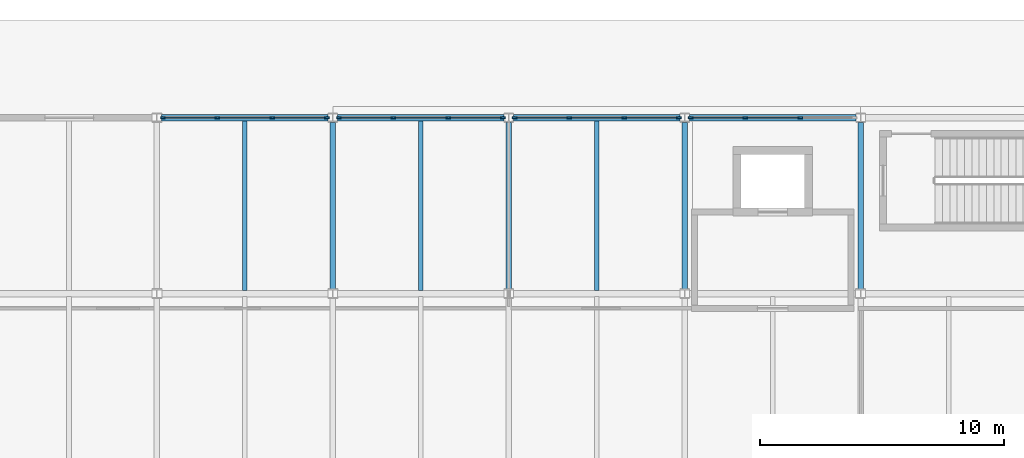
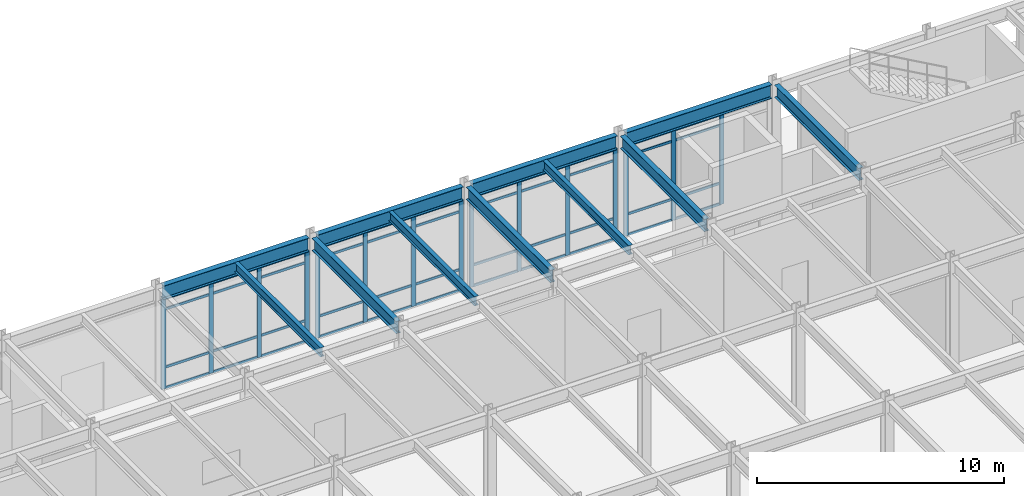
# One storey, part 38 of 104: 59 members, 11 beams, 4 elements without a shape of their own.
"""IFC4 building model written with IfcOpenShell, lengths in metres."""

from ifc_helpers import new_model, si_unit, direction, frame, origin, origin_2d, place, context, subcontext, project, spatial, rectangle, i_section, extrude, material, material_profile, profile_set, type_object, element, aggregate, save


model = new_model("IFC4")

# Units and contexts
model_context = context("Model", 3, precision=1e-05, world=origin(), true_north=direction((0.0, 1.0)))
body_context = subcontext(model_context, "Body", "Model", "MODEL_VIEW")
ifc_project = project(units=[si_unit("LENGTHUNIT", "METRE"), si_unit("AREAUNIT", "SQUARE_METRE"), si_unit("VOLUMEUNIT", "CUBIC_METRE"), si_unit("PLANEANGLEUNIT", "RADIAN"), si_unit("MASSUNIT", "GRAM", prefix="KILO")], contexts=[model_context])

# Site, building, storey
site_placement = place(None, origin())
site = spatial("IfcSite", under=ifc_project, at=site_placement, CompositionType="ELEMENT")
building_placement = place(site_placement, origin())
building = spatial("IfcBuilding", under=site, at=building_placement, Name="Vaelcorin Mobility Hub", CompositionType="ELEMENT")
storey_placement = place(building_placement, origin())
storey = spatial("IfcBuildingStorey", under=building, at=storey_placement, Name="L00", CompositionType="ELEMENT", Elevation=0.0)

# Beams
ifc_material_1 = material(Name="Steel ASTM A992 Grade 50", Category="steel")
ifc_material_profile_1 = material_profile(ifc_material_1, i_section(OverallWidth=0.19091796875, OverallDepth=0.4599609375, WebThickness=0.010009765625, FlangeThickness=0.01611328125, FilletRadius=0.012939453125, at=origin_2d()), Name="W18X55")
ifc_profile_set_1 = profile_set([ifc_material_profile_1], Name="Steel ASTM A992 Grade 50")
beam_type_1 = type_object("IfcBeamType", Name="BM-W18X55", PredefinedType="JOIST", material=ifc_profile_set_1)
for number, where, z_axis, x_axis, name in (
    (1, (75.60009765625, 112.925048828125, 4.929931640625), (0.0, 1.0, 0.0), (-1.0, 0.0, 0.0), "L00 Beam V4-L00-J-06-06-1"),
    (2, (82.800048828125, 112.925048828125, 4.929931640625), (0.0, 1.0, 0.0), (-1.0, 0.0, 0.0), "L00 Beam V4-L00-J-07-06-1"),
    (3, (90.0, 112.925048828125, 4.929931640625), (0.0, 1.0, 0.0), (-1.0, 0.0, 0.0), "L00 Beam V4-L00-J-08-06-1"),
):
    element("IfcBeam", number, at=place(storey_placement, frame(where, z_axis=z_axis, x_axis=x_axis)), inside=storey, type_object=beam_type_1, Name=name, PredefinedType="JOIST", context=body_context, shape_type="SweptSolid", body=[
        extrude(i_section(OverallWidth=0.19091796875, OverallDepth=0.4599609375, WebThickness=0.010009765625, FlangeThickness=0.01611328125, FilletRadius=0.012939453125, at=origin_2d()), origin(), (0.0, 0.0, 1.0), 6.949951171875),
    ])
ifc_material_profile_2 = material_profile(ifc_material_1, i_section(OverallWidth=0.22900390625, OverallDepth=0.612060546875, WebThickness=0.011962890625, FlangeThickness=0.01953125, FilletRadius=0.014892578125, at=origin_2d()), Name="W24X84")
ifc_profile_set_2 = profile_set([ifc_material_profile_2], Name="Steel ASTM A992 Grade 50")
beam_type_2 = type_object("IfcBeamType", Name="BM-W24X84", PredefinedType="BEAM", material=ifc_profile_set_2)
for number, where, z_axis, x_axis, name in (
    (4, (79.199951171875, 113.0009765625, 4.85400390625), (0.0, 1.0, 0.0), (-1.0, 0.0, 0.0), "L00 Beam V4-L00-GY-07-06"),
    (5, (86.39990234375, 113.0009765625, 4.85400390625), (0.0, 1.0, 0.0), (-1.0, 0.0, 0.0), "L00 Beam V4-L00-GY-08-06"),
    (6, (93.60009765625, 113.0009765625, 4.85400390625), (0.0, 1.0, 0.0), (-1.0, 0.0, 0.0), "L00 Beam V4-L00-GY-09-06"),
    (7, (100.800048828125, 113.0009765625, 4.85400390625), (0.0, 1.0, 0.0), (-1.0, 0.0, 0.0), "L00 Beam V4-L00-GY-10-06"),
):
    element("IfcBeam", number, at=place(storey_placement, frame(where, z_axis=z_axis, x_axis=x_axis)), inside=storey, type_object=beam_type_2, Name=name, PredefinedType="BEAM", context=body_context, shape_type="SweptSolid", body=[
        extrude(i_section(OverallWidth=0.22900390625, OverallDepth=0.612060546875, WebThickness=0.011962890625, FlangeThickness=0.01953125, FilletRadius=0.014892578125, at=origin_2d()), origin(), (0.0, 0.0, 1.0), 6.803955078125),
    ])
ifc_material_profile_3 = material_profile(ifc_material_1, i_section(OverallWidth=0.25390625, OverallDepth=0.68310546875, WebThickness=0.012451171875, FlangeThickness=0.018798828125, FilletRadius=0.01611328125, at=origin_2d()), Name="W27X94")
ifc_profile_set_3 = profile_set([ifc_material_profile_3], Name="Steel ASTM A992 Grade 50")
beam_type_3 = type_object("IfcBeamType", Name="BM-W27X94", PredefinedType="BEAM", material=ifc_profile_set_3)
for number, where, z_axis, x_axis, name in (
    (8, (72.197998046875, 120.0, 4.818115234375), (1.0, 0.0, 0.0), (0.0, 1.0, 0.0), "L00 Beam V4-L00-GX-07-06"),
    (9, (79.39794921875, 120.0, 4.818115234375), (1.0, 0.0, 0.0), (0.0, 1.0, 0.0), "L00 Beam V4-L00-GX-07-07"),
):
    element("IfcBeam", number, at=place(storey_placement, frame(where, z_axis=z_axis, x_axis=x_axis)), inside=storey, type_object=beam_type_3, Name=name, PredefinedType="BEAM", context=body_context, shape_type="SweptSolid", body=[
        extrude(i_section(OverallWidth=0.25390625, OverallDepth=0.68310546875, WebThickness=0.012451171875, FlangeThickness=0.018798828125, FilletRadius=0.01611328125, at=origin_2d()), origin(), (0.0, 0.0, 1.0), 6.803955078125),
    ])
beam_1_placement = place(storey_placement, frame((86.597900390625, 120.0, 4.818115234375), z_axis=(1.0, 0.0, 0.0), x_axis=(0.0, 1.0, 0.0)))
element("IfcBeam", 10, at=beam_1_placement, inside=storey, type_object=beam_type_3, Name="L00 Beam V4-L00-GX-07-08", PredefinedType="BEAM", context=body_context, shape_type="SweptSolid", body=[
    extrude(i_section(OverallWidth=0.25390625, OverallDepth=0.68310546875, WebThickness=0.012451171875, FlangeThickness=0.018798828125, FilletRadius=0.01611328125, at=origin_2d()), origin(), (0.0, 0.0, 1.0), 6.80419921875),
])
beam_2_placement = place(storey_placement, frame((93.798095703125, 120.0, 4.818115234375), z_axis=(1.0, 0.0, 0.0), x_axis=(0.0, 1.0, 0.0)))
element("IfcBeam", 11, at=beam_2_placement, inside=storey, type_object=beam_type_3, Name="L00 Beam V4-L00-GX-07-09", PredefinedType="BEAM", context=body_context, shape_type="SweptSolid", body=[
    extrude(i_section(OverallWidth=0.25390625, OverallDepth=0.68310546875, WebThickness=0.012451171875, FlangeThickness=0.018798828125, FilletRadius=0.01611328125, at=origin_2d()), origin(), (0.0, 0.0, 1.0), 6.803955078125),
])

# Curtain wall, members
ifc_material_2 = material(Name="Anodised aluminium 6063-T6", Category="aluminium")
curtain_wall_type = type_object("IfcCurtainWallType", Name="CW-MSC-B", PredefinedType="NOTDEFINED", material=ifc_material_2)
curtain_wall_1_placement = place(storey_placement, origin())
curtain_wall_1 = element("IfcCurtainWall", 12, at=curtain_wall_1_placement, inside=storey, type_object=curtain_wall_type, Name="L00 Curtain Wall CW-V4-L00-N-06", PredefinedType="NOTDEFINED")
ifc_material_profile_4 = material_profile(ifc_material_2, rectangle(XDim=0.070068359375, YDim=0.199951171875, at=origin_2d()), Name="ALU-M70X200")
ifc_profile_set_4 = profile_set([ifc_material_profile_4], Name="Anodised aluminium 6063-T6")
member_type_1 = type_object("IfcMemberType", Name="CW-MULL-200", PredefinedType="MULLION", material=ifc_profile_set_4)
member_1_placement = place(storey_placement, frame((72.25, 120.0, 0.0), z_axis=(0.0, 0.0, 1.0), x_axis=(0.0, 1.0, 0.0)))
member_1 = element("IfcMember", 13, at=member_1_placement, type_object=member_type_1, Name="CW4 mullion 1", PredefinedType="MULLION", context=body_context, shape_type="SweptSolid", body=[
    extrude(rectangle(XDim=0.070068359375, YDim=0.199951171875, at=origin_2d()), origin(), (0.0, 0.0, 1.0), 4.4619140625),
])
member_2_placement = place(storey_placement, frame((74.473388671875, 120.0, 0.0), z_axis=(0.0, 0.0, 1.0), x_axis=(0.0, 1.0, 0.0)))
member_2 = element("IfcMember", 14, at=member_2_placement, type_object=member_type_1, Name="CW4 mullion 2", PredefinedType="MULLION", context=body_context, shape_type="SweptSolid", body=[
    extrude(rectangle(XDim=0.070068359375, YDim=0.199951171875, at=origin_2d()), origin(), (0.0, 0.0, 1.0), 4.4619140625),
])
member_3_placement = place(storey_placement, frame((76.7265625, 120.0, 0.0), z_axis=(0.0, 0.0, 1.0), x_axis=(0.0, 1.0, 0.0)))
member_3 = element("IfcMember", 15, at=member_3_placement, type_object=member_type_1, Name="CW4 mullion 3", PredefinedType="MULLION", context=body_context, shape_type="SweptSolid", body=[
    extrude(rectangle(XDim=0.070068359375, YDim=0.199951171875, at=origin_2d()), origin(), (0.0, 0.0, 1.0), 4.4619140625),
])
member_4_placement = place(storey_placement, frame((78.949951171875, 120.0, 0.0), z_axis=(0.0, 0.0, 1.0), x_axis=(0.0, 1.0, 0.0)))
member_4 = element("IfcMember", 16, at=member_4_placement, type_object=member_type_1, Name="CW4 mullion 4", PredefinedType="MULLION", context=body_context, shape_type="SweptSolid", body=[
    extrude(rectangle(XDim=0.070068359375, YDim=0.199951171875, at=origin_2d()), origin(), (0.0, 0.0, 1.0), 4.4619140625),
])

curtain_wall_2_placement = place(storey_placement, origin())
curtain_wall_2 = element("IfcCurtainWall", 17, at=curtain_wall_2_placement, inside=storey, type_object=curtain_wall_type, Name="L00 Curtain Wall CW-V4-L00-N-07", PredefinedType="NOTDEFINED")
member_5_placement = place(storey_placement, frame((79.449951171875, 120.0, 0.0), z_axis=(0.0, 0.0, 1.0), x_axis=(0.0, 1.0, 0.0)))
member_5 = element("IfcMember", 18, at=member_5_placement, type_object=member_type_1, Name="CW4 mullion 1", PredefinedType="MULLION", context=body_context, shape_type="SweptSolid", body=[
    extrude(rectangle(XDim=0.070068359375, YDim=0.199951171875, at=origin_2d()), origin(), (0.0, 0.0, 1.0), 4.4619140625),
])
member_6_placement = place(storey_placement, frame((81.67333984375, 120.0, 0.0), z_axis=(0.0, 0.0, 1.0), x_axis=(0.0, 1.0, 0.0)))
member_6 = element("IfcMember", 19, at=member_6_placement, type_object=member_type_1, Name="CW4 mullion 2", PredefinedType="MULLION", context=body_context, shape_type="SweptSolid", body=[
    extrude(rectangle(XDim=0.070068359375, YDim=0.199951171875, at=origin_2d()), origin(), (0.0, 0.0, 1.0), 4.4619140625),
])
member_7_placement = place(storey_placement, frame((83.9267578125, 120.0, 0.0), z_axis=(0.0, 0.0, 1.0), x_axis=(0.0, 1.0, 0.0)))
member_7 = element("IfcMember", 20, at=member_7_placement, type_object=member_type_1, Name="CW4 mullion 3", PredefinedType="MULLION", context=body_context, shape_type="SweptSolid", body=[
    extrude(rectangle(XDim=0.070068359375, YDim=0.199951171875, at=origin_2d()), origin(), (0.0, 0.0, 1.0), 4.4619140625),
])
member_8_placement = place(storey_placement, frame((86.14990234375, 120.0, 0.0), z_axis=(0.0, 0.0, 1.0), x_axis=(0.0, 1.0, 0.0)))
member_8 = element("IfcMember", 21, at=member_8_placement, type_object=member_type_1, Name="CW4 mullion 4", PredefinedType="MULLION", context=body_context, shape_type="SweptSolid", body=[
    extrude(rectangle(XDim=0.070068359375, YDim=0.199951171875, at=origin_2d()), origin(), (0.0, 0.0, 1.0), 4.4619140625),
])

curtain_wall_3_placement = place(storey_placement, origin())
curtain_wall_3 = element("IfcCurtainWall", 22, at=curtain_wall_3_placement, inside=storey, type_object=curtain_wall_type, Name="L00 Curtain Wall CW-V4-L00-N-08", PredefinedType="NOTDEFINED")
member_9_placement = place(storey_placement, frame((86.64990234375, 120.0, 0.0), z_axis=(0.0, 0.0, 1.0), x_axis=(0.0, 1.0, 0.0)))
member_9 = element("IfcMember", 23, at=member_9_placement, type_object=member_type_1, Name="CW4 mullion 1", PredefinedType="MULLION", context=body_context, shape_type="SweptSolid", body=[
    extrude(rectangle(XDim=0.070068359375, YDim=0.199951171875, at=origin_2d()), origin(), (0.0, 0.0, 1.0), 4.4619140625),
])
member_10_placement = place(storey_placement, frame((88.873291015625, 120.0, 0.0), z_axis=(0.0, 0.0, 1.0), x_axis=(0.0, 1.0, 0.0)))
member_10 = element("IfcMember", 24, at=member_10_placement, type_object=member_type_1, Name="CW4 mullion 2", PredefinedType="MULLION", context=body_context, shape_type="SweptSolid", body=[
    extrude(rectangle(XDim=0.070068359375, YDim=0.199951171875, at=origin_2d()), origin(), (0.0, 0.0, 1.0), 4.4619140625),
])
member_11_placement = place(storey_placement, frame((91.126708984375, 120.0, 0.0), z_axis=(0.0, 0.0, 1.0), x_axis=(0.0, 1.0, 0.0)))
member_11 = element("IfcMember", 25, at=member_11_placement, type_object=member_type_1, Name="CW4 mullion 3", PredefinedType="MULLION", context=body_context, shape_type="SweptSolid", body=[
    extrude(rectangle(XDim=0.070068359375, YDim=0.199951171875, at=origin_2d()), origin(), (0.0, 0.0, 1.0), 4.4619140625),
])
member_12_placement = place(storey_placement, frame((93.35009765625, 120.0, 0.0), z_axis=(0.0, 0.0, 1.0), x_axis=(0.0, 1.0, 0.0)))
member_12 = element("IfcMember", 26, at=member_12_placement, type_object=member_type_1, Name="CW4 mullion 4", PredefinedType="MULLION", context=body_context, shape_type="SweptSolid", body=[
    extrude(rectangle(XDim=0.070068359375, YDim=0.199951171875, at=origin_2d()), origin(), (0.0, 0.0, 1.0), 4.4619140625),
])

curtain_wall_4_placement = place(storey_placement, origin())
curtain_wall_4 = element("IfcCurtainWall", 27, at=curtain_wall_4_placement, inside=storey, type_object=curtain_wall_type, Name="L00 Curtain Wall CW-V4-L00-N-09", PredefinedType="NOTDEFINED")
member_13_placement = place(storey_placement, frame((93.85009765625, 120.0, 0.0), z_axis=(0.0, 0.0, 1.0), x_axis=(0.0, 1.0, 0.0)))
member_13 = element("IfcMember", 28, at=member_13_placement, type_object=member_type_1, Name="CW4 mullion 1", PredefinedType="MULLION", context=body_context, shape_type="SweptSolid", body=[
    extrude(rectangle(XDim=0.070068359375, YDim=0.199951171875, at=origin_2d()), origin(), (0.0, 0.0, 1.0), 4.4619140625),
])
member_14_placement = place(storey_placement, frame((96.0732421875, 120.0, 0.0), z_axis=(0.0, 0.0, 1.0), x_axis=(0.0, 1.0, 0.0)))
member_14 = element("IfcMember", 29, at=member_14_placement, type_object=member_type_1, Name="CW4 mullion 2", PredefinedType="MULLION", context=body_context, shape_type="SweptSolid", body=[
    extrude(rectangle(XDim=0.070068359375, YDim=0.199951171875, at=origin_2d()), origin(), (0.0, 0.0, 1.0), 4.4619140625),
])
member_15_placement = place(storey_placement, frame((98.32666015625, 120.0, 0.0), z_axis=(0.0, 0.0, 1.0), x_axis=(0.0, 1.0, 0.0)))
member_15 = element("IfcMember", 30, at=member_15_placement, type_object=member_type_1, Name="CW4 mullion 3", PredefinedType="MULLION", context=body_context, shape_type="SweptSolid", body=[
    extrude(rectangle(XDim=0.070068359375, YDim=0.199951171875, at=origin_2d()), origin(), (0.0, 0.0, 1.0), 4.4619140625),
])

# Member
ifc_material_profile_5 = material_profile(ifc_material_2, rectangle(XDim=0.06005859375, YDim=0.1201171875, at=origin_2d()), Name="ALU-T60X120")
ifc_profile_set_5 = profile_set([ifc_material_profile_5], Name="Anodised aluminium 6063-T6")
member_type_2 = type_object("IfcMemberType", Name="CW-TRAN-140", PredefinedType="USERDEFINED", material=ifc_profile_set_5)
member_16_placement = place(storey_placement, frame((72.280029296875, 120.0, 0.030029296875), z_axis=(1.0, 0.0, 0.0), x_axis=(0.0, 1.0, 0.0)))
member_16 = element("IfcMember", 31, at=member_16_placement, type_object=member_type_2, Name="CW4 transom 1.1", ObjectType="TRANSOM", PredefinedType="USERDEFINED", context=body_context, shape_type="SweptSolid", body=[
    extrude(rectangle(XDim=0.06005859375, YDim=0.1201171875, at=origin_2d()), origin(), (0.0, 0.0, 1.0), 2.163330078125),
])

member_17_placement = place(storey_placement, frame((72.280029296875, 120.0, 1.050048828125), z_axis=(1.0, 0.0, 0.0), x_axis=(0.0, 1.0, 0.0)))
member_17 = element("IfcMember", 32, at=member_17_placement, type_object=member_type_2, Name="CW4 transom 1.2", ObjectType="TRANSOM", PredefinedType="USERDEFINED", context=body_context, shape_type="SweptSolid", body=[
    extrude(rectangle(XDim=0.06005859375, YDim=0.1201171875, at=origin_2d()), origin(), (0.0, 0.0, 1.0), 2.163330078125),
])

member_18_placement = place(storey_placement, frame((72.280029296875, 120.0, 3.912109375), z_axis=(1.0, 0.0, 0.0), x_axis=(0.0, 1.0, 0.0)))
member_18 = element("IfcMember", 33, at=member_18_placement, type_object=member_type_2, Name="CW4 transom 1.3", ObjectType="TRANSOM", PredefinedType="USERDEFINED", context=body_context, shape_type="SweptSolid", body=[
    extrude(rectangle(XDim=0.06005859375, YDim=0.1201171875, at=origin_2d()), origin(), (0.0, 0.0, 1.0), 2.163330078125),
])

member_19_placement = place(storey_placement, frame((72.280029296875, 120.0, 4.431884765625), z_axis=(1.0, 0.0, 0.0), x_axis=(0.0, 1.0, 0.0)))
member_19 = element("IfcMember", 34, at=member_19_placement, type_object=member_type_2, Name="CW4 transom 1.4", ObjectType="TRANSOM", PredefinedType="USERDEFINED", context=body_context, shape_type="SweptSolid", body=[
    extrude(rectangle(XDim=0.06005859375, YDim=0.1201171875, at=origin_2d()), origin(), (0.0, 0.0, 1.0), 2.163330078125),
])

member_20_placement = place(storey_placement, frame((74.50341796875, 120.0, 0.030029296875), z_axis=(1.0, 0.0, 0.0), x_axis=(0.0, 1.0, 0.0)))
member_20 = element("IfcMember", 35, at=member_20_placement, type_object=member_type_2, Name="CW4 transom 2.1", ObjectType="TRANSOM", PredefinedType="USERDEFINED", context=body_context, shape_type="SweptSolid", body=[
    extrude(rectangle(XDim=0.06005859375, YDim=0.1201171875, at=origin_2d()), origin(), (0.0, 0.0, 1.0), 2.193359375),
])

member_21_placement = place(storey_placement, frame((74.50341796875, 120.0, 1.050048828125), z_axis=(1.0, 0.0, 0.0), x_axis=(0.0, 1.0, 0.0)))
member_21 = element("IfcMember", 36, at=member_21_placement, type_object=member_type_2, Name="CW4 transom 2.2", ObjectType="TRANSOM", PredefinedType="USERDEFINED", context=body_context, shape_type="SweptSolid", body=[
    extrude(rectangle(XDim=0.06005859375, YDim=0.1201171875, at=origin_2d()), origin(), (0.0, 0.0, 1.0), 2.193359375),
])

member_22_placement = place(storey_placement, frame((74.50341796875, 120.0, 3.912109375), z_axis=(1.0, 0.0, 0.0), x_axis=(0.0, 1.0, 0.0)))
member_22 = element("IfcMember", 37, at=member_22_placement, type_object=member_type_2, Name="CW4 transom 2.3", ObjectType="TRANSOM", PredefinedType="USERDEFINED", context=body_context, shape_type="SweptSolid", body=[
    extrude(rectangle(XDim=0.06005859375, YDim=0.1201171875, at=origin_2d()), origin(), (0.0, 0.0, 1.0), 2.193359375),
])

member_23_placement = place(storey_placement, frame((74.50341796875, 120.0, 4.431884765625), z_axis=(1.0, 0.0, 0.0), x_axis=(0.0, 1.0, 0.0)))
member_23 = element("IfcMember", 38, at=member_23_placement, type_object=member_type_2, Name="CW4 transom 2.4", ObjectType="TRANSOM", PredefinedType="USERDEFINED", context=body_context, shape_type="SweptSolid", body=[
    extrude(rectangle(XDim=0.06005859375, YDim=0.1201171875, at=origin_2d()), origin(), (0.0, 0.0, 1.0), 2.193359375),
])

member_24_placement = place(storey_placement, frame((76.756591796875, 120.0, 0.030029296875), z_axis=(1.0, 0.0, 0.0), x_axis=(0.0, 1.0, 0.0)))
member_24 = element("IfcMember", 39, at=member_24_placement, type_object=member_type_2, Name="CW4 transom 3.1", ObjectType="TRANSOM", PredefinedType="USERDEFINED", context=body_context, shape_type="SweptSolid", body=[
    extrude(rectangle(XDim=0.06005859375, YDim=0.1201171875, at=origin_2d()), origin(), (0.0, 0.0, 1.0), 2.163330078125),
])

member_25_placement = place(storey_placement, frame((76.756591796875, 120.0, 1.050048828125), z_axis=(1.0, 0.0, 0.0), x_axis=(0.0, 1.0, 0.0)))
member_25 = element("IfcMember", 40, at=member_25_placement, type_object=member_type_2, Name="CW4 transom 3.2", ObjectType="TRANSOM", PredefinedType="USERDEFINED", context=body_context, shape_type="SweptSolid", body=[
    extrude(rectangle(XDim=0.06005859375, YDim=0.1201171875, at=origin_2d()), origin(), (0.0, 0.0, 1.0), 2.163330078125),
])

member_26_placement = place(storey_placement, frame((76.756591796875, 120.0, 3.912109375), z_axis=(1.0, 0.0, 0.0), x_axis=(0.0, 1.0, 0.0)))
member_26 = element("IfcMember", 41, at=member_26_placement, type_object=member_type_2, Name="CW4 transom 3.3", ObjectType="TRANSOM", PredefinedType="USERDEFINED", context=body_context, shape_type="SweptSolid", body=[
    extrude(rectangle(XDim=0.06005859375, YDim=0.1201171875, at=origin_2d()), origin(), (0.0, 0.0, 1.0), 2.163330078125),
])

member_27_placement = place(storey_placement, frame((76.756591796875, 120.0, 4.431884765625), z_axis=(1.0, 0.0, 0.0), x_axis=(0.0, 1.0, 0.0)))
member_27 = element("IfcMember", 42, at=member_27_placement, type_object=member_type_2, Name="CW4 transom 3.4", ObjectType="TRANSOM", PredefinedType="USERDEFINED", context=body_context, shape_type="SweptSolid", body=[
    extrude(rectangle(XDim=0.06005859375, YDim=0.1201171875, at=origin_2d()), origin(), (0.0, 0.0, 1.0), 2.163330078125),
])

aggregate(curtain_wall_1, [member_1, member_2, member_3, member_4, member_16, member_17, member_18, member_19, member_20, member_21, member_22, member_23, member_24, member_25, member_26, member_27])

member_28_placement = place(storey_placement, frame((79.47998046875, 120.0, 0.030029296875), z_axis=(1.0, 0.0, 0.0), x_axis=(0.0, 1.0, 0.0)))
member_28 = element("IfcMember", 43, at=member_28_placement, type_object=member_type_2, Name="CW4 transom 1.1", ObjectType="TRANSOM", PredefinedType="USERDEFINED", context=body_context, shape_type="SweptSolid", body=[
    extrude(rectangle(XDim=0.06005859375, YDim=0.1201171875, at=origin_2d()), origin(), (0.0, 0.0, 1.0), 2.163330078125),
])

member_29_placement = place(storey_placement, frame((79.47998046875, 120.0, 1.050048828125), z_axis=(1.0, 0.0, 0.0), x_axis=(0.0, 1.0, 0.0)))
member_29 = element("IfcMember", 44, at=member_29_placement, type_object=member_type_2, Name="CW4 transom 1.2", ObjectType="TRANSOM", PredefinedType="USERDEFINED", context=body_context, shape_type="SweptSolid", body=[
    extrude(rectangle(XDim=0.06005859375, YDim=0.1201171875, at=origin_2d()), origin(), (0.0, 0.0, 1.0), 2.163330078125),
])

member_30_placement = place(storey_placement, frame((79.47998046875, 120.0, 3.912109375), z_axis=(1.0, 0.0, 0.0), x_axis=(0.0, 1.0, 0.0)))
member_30 = element("IfcMember", 45, at=member_30_placement, type_object=member_type_2, Name="CW4 transom 1.3", ObjectType="TRANSOM", PredefinedType="USERDEFINED", context=body_context, shape_type="SweptSolid", body=[
    extrude(rectangle(XDim=0.06005859375, YDim=0.1201171875, at=origin_2d()), origin(), (0.0, 0.0, 1.0), 2.163330078125),
])

member_31_placement = place(storey_placement, frame((79.47998046875, 120.0, 4.431884765625), z_axis=(1.0, 0.0, 0.0), x_axis=(0.0, 1.0, 0.0)))
member_31 = element("IfcMember", 46, at=member_31_placement, type_object=member_type_2, Name="CW4 transom 1.4", ObjectType="TRANSOM", PredefinedType="USERDEFINED", context=body_context, shape_type="SweptSolid", body=[
    extrude(rectangle(XDim=0.06005859375, YDim=0.1201171875, at=origin_2d()), origin(), (0.0, 0.0, 1.0), 2.163330078125),
])

member_32_placement = place(storey_placement, frame((81.703369140625, 120.0, 0.030029296875), z_axis=(1.0, 0.0, 0.0), x_axis=(0.0, 1.0, 0.0)))
member_32 = element("IfcMember", 47, at=member_32_placement, type_object=member_type_2, Name="CW4 transom 2.1", ObjectType="TRANSOM", PredefinedType="USERDEFINED", context=body_context, shape_type="SweptSolid", body=[
    extrude(rectangle(XDim=0.06005859375, YDim=0.1201171875, at=origin_2d()), origin(), (0.0, 0.0, 1.0), 2.193359375),
])

member_33_placement = place(storey_placement, frame((81.703369140625, 120.0, 1.050048828125), z_axis=(1.0, 0.0, 0.0), x_axis=(0.0, 1.0, 0.0)))
member_33 = element("IfcMember", 48, at=member_33_placement, type_object=member_type_2, Name="CW4 transom 2.2", ObjectType="TRANSOM", PredefinedType="USERDEFINED", context=body_context, shape_type="SweptSolid", body=[
    extrude(rectangle(XDim=0.06005859375, YDim=0.1201171875, at=origin_2d()), origin(), (0.0, 0.0, 1.0), 2.193359375),
])

member_34_placement = place(storey_placement, frame((81.703369140625, 120.0, 3.912109375), z_axis=(1.0, 0.0, 0.0), x_axis=(0.0, 1.0, 0.0)))
member_34 = element("IfcMember", 49, at=member_34_placement, type_object=member_type_2, Name="CW4 transom 2.3", ObjectType="TRANSOM", PredefinedType="USERDEFINED", context=body_context, shape_type="SweptSolid", body=[
    extrude(rectangle(XDim=0.06005859375, YDim=0.1201171875, at=origin_2d()), origin(), (0.0, 0.0, 1.0), 2.193359375),
])

member_35_placement = place(storey_placement, frame((81.703369140625, 120.0, 4.431884765625), z_axis=(1.0, 0.0, 0.0), x_axis=(0.0, 1.0, 0.0)))
member_35 = element("IfcMember", 50, at=member_35_placement, type_object=member_type_2, Name="CW4 transom 2.4", ObjectType="TRANSOM", PredefinedType="USERDEFINED", context=body_context, shape_type="SweptSolid", body=[
    extrude(rectangle(XDim=0.06005859375, YDim=0.1201171875, at=origin_2d()), origin(), (0.0, 0.0, 1.0), 2.193359375),
])

member_36_placement = place(storey_placement, frame((83.956787109375, 120.0, 0.030029296875), z_axis=(1.0, 0.0, 0.0), x_axis=(0.0, 1.0, 0.0)))
member_36 = element("IfcMember", 51, at=member_36_placement, type_object=member_type_2, Name="CW4 transom 3.1", ObjectType="TRANSOM", PredefinedType="USERDEFINED", context=body_context, shape_type="SweptSolid", body=[
    extrude(rectangle(XDim=0.06005859375, YDim=0.1201171875, at=origin_2d()), origin(), (0.0, 0.0, 1.0), 2.163330078125),
])

member_37_placement = place(storey_placement, frame((83.956787109375, 120.0, 1.050048828125), z_axis=(1.0, 0.0, 0.0), x_axis=(0.0, 1.0, 0.0)))
member_37 = element("IfcMember", 52, at=member_37_placement, type_object=member_type_2, Name="CW4 transom 3.2", ObjectType="TRANSOM", PredefinedType="USERDEFINED", context=body_context, shape_type="SweptSolid", body=[
    extrude(rectangle(XDim=0.06005859375, YDim=0.1201171875, at=origin_2d()), origin(), (0.0, 0.0, 1.0), 2.163330078125),
])

member_38_placement = place(storey_placement, frame((83.956787109375, 120.0, 3.912109375), z_axis=(1.0, 0.0, 0.0), x_axis=(0.0, 1.0, 0.0)))
member_38 = element("IfcMember", 53, at=member_38_placement, type_object=member_type_2, Name="CW4 transom 3.3", ObjectType="TRANSOM", PredefinedType="USERDEFINED", context=body_context, shape_type="SweptSolid", body=[
    extrude(rectangle(XDim=0.06005859375, YDim=0.1201171875, at=origin_2d()), origin(), (0.0, 0.0, 1.0), 2.163330078125),
])

member_39_placement = place(storey_placement, frame((83.956787109375, 120.0, 4.431884765625), z_axis=(1.0, 0.0, 0.0), x_axis=(0.0, 1.0, 0.0)))
member_39 = element("IfcMember", 54, at=member_39_placement, type_object=member_type_2, Name="CW4 transom 3.4", ObjectType="TRANSOM", PredefinedType="USERDEFINED", context=body_context, shape_type="SweptSolid", body=[
    extrude(rectangle(XDim=0.06005859375, YDim=0.1201171875, at=origin_2d()), origin(), (0.0, 0.0, 1.0), 2.163330078125),
])

aggregate(curtain_wall_2, [member_5, member_6, member_7, member_8, member_28, member_29, member_30, member_31, member_32, member_33, member_34, member_35, member_36, member_37, member_38, member_39])

member_40_placement = place(storey_placement, frame((86.679931640625, 120.0, 0.030029296875), z_axis=(1.0, 0.0, 0.0), x_axis=(0.0, 1.0, 0.0)))
member_40 = element("IfcMember", 55, at=member_40_placement, type_object=member_type_2, Name="CW4 transom 1.1", ObjectType="TRANSOM", PredefinedType="USERDEFINED", context=body_context, shape_type="SweptSolid", body=[
    extrude(rectangle(XDim=0.06005859375, YDim=0.1201171875, at=origin_2d()), origin(), (0.0, 0.0, 1.0), 2.163330078125),
])

member_41_placement = place(storey_placement, frame((86.679931640625, 120.0, 1.050048828125), z_axis=(1.0, 0.0, 0.0), x_axis=(0.0, 1.0, 0.0)))
member_41 = element("IfcMember", 56, at=member_41_placement, type_object=member_type_2, Name="CW4 transom 1.2", ObjectType="TRANSOM", PredefinedType="USERDEFINED", context=body_context, shape_type="SweptSolid", body=[
    extrude(rectangle(XDim=0.06005859375, YDim=0.1201171875, at=origin_2d()), origin(), (0.0, 0.0, 1.0), 2.163330078125),
])

member_42_placement = place(storey_placement, frame((86.679931640625, 120.0, 3.912109375), z_axis=(1.0, 0.0, 0.0), x_axis=(0.0, 1.0, 0.0)))
member_42 = element("IfcMember", 57, at=member_42_placement, type_object=member_type_2, Name="CW4 transom 1.3", ObjectType="TRANSOM", PredefinedType="USERDEFINED", context=body_context, shape_type="SweptSolid", body=[
    extrude(rectangle(XDim=0.06005859375, YDim=0.1201171875, at=origin_2d()), origin(), (0.0, 0.0, 1.0), 2.163330078125),
])

member_43_placement = place(storey_placement, frame((86.679931640625, 120.0, 4.431884765625), z_axis=(1.0, 0.0, 0.0), x_axis=(0.0, 1.0, 0.0)))
member_43 = element("IfcMember", 58, at=member_43_placement, type_object=member_type_2, Name="CW4 transom 1.4", ObjectType="TRANSOM", PredefinedType="USERDEFINED", context=body_context, shape_type="SweptSolid", body=[
    extrude(rectangle(XDim=0.06005859375, YDim=0.1201171875, at=origin_2d()), origin(), (0.0, 0.0, 1.0), 2.163330078125),
])

member_44_placement = place(storey_placement, frame((88.9033203125, 120.0, 0.030029296875), z_axis=(1.0, 0.0, 0.0), x_axis=(0.0, 1.0, 0.0)))
member_44 = element("IfcMember", 59, at=member_44_placement, type_object=member_type_2, Name="CW4 transom 2.1", ObjectType="TRANSOM", PredefinedType="USERDEFINED", context=body_context, shape_type="SweptSolid", body=[
    extrude(rectangle(XDim=0.06005859375, YDim=0.1201171875, at=origin_2d()), origin(), (0.0, 0.0, 1.0), 2.193359375),
])

member_45_placement = place(storey_placement, frame((88.9033203125, 120.0, 1.050048828125), z_axis=(1.0, 0.0, 0.0), x_axis=(0.0, 1.0, 0.0)))
member_45 = element("IfcMember", 60, at=member_45_placement, type_object=member_type_2, Name="CW4 transom 2.2", ObjectType="TRANSOM", PredefinedType="USERDEFINED", context=body_context, shape_type="SweptSolid", body=[
    extrude(rectangle(XDim=0.06005859375, YDim=0.1201171875, at=origin_2d()), origin(), (0.0, 0.0, 1.0), 2.193359375),
])

member_46_placement = place(storey_placement, frame((88.9033203125, 120.0, 3.912109375), z_axis=(1.0, 0.0, 0.0), x_axis=(0.0, 1.0, 0.0)))
member_46 = element("IfcMember", 61, at=member_46_placement, type_object=member_type_2, Name="CW4 transom 2.3", ObjectType="TRANSOM", PredefinedType="USERDEFINED", context=body_context, shape_type="SweptSolid", body=[
    extrude(rectangle(XDim=0.06005859375, YDim=0.1201171875, at=origin_2d()), origin(), (0.0, 0.0, 1.0), 2.193359375),
])

member_47_placement = place(storey_placement, frame((88.9033203125, 120.0, 4.431884765625), z_axis=(1.0, 0.0, 0.0), x_axis=(0.0, 1.0, 0.0)))
member_47 = element("IfcMember", 62, at=member_47_placement, type_object=member_type_2, Name="CW4 transom 2.4", ObjectType="TRANSOM", PredefinedType="USERDEFINED", context=body_context, shape_type="SweptSolid", body=[
    extrude(rectangle(XDim=0.06005859375, YDim=0.1201171875, at=origin_2d()), origin(), (0.0, 0.0, 1.0), 2.193359375),
])

member_48_placement = place(storey_placement, frame((91.15673828125, 120.0, 0.030029296875), z_axis=(1.0, 0.0, 0.0), x_axis=(0.0, 1.0, 0.0)))
member_48 = element("IfcMember", 63, at=member_48_placement, type_object=member_type_2, Name="CW4 transom 3.1", ObjectType="TRANSOM", PredefinedType="USERDEFINED", context=body_context, shape_type="SweptSolid", body=[
    extrude(rectangle(XDim=0.06005859375, YDim=0.1201171875, at=origin_2d()), origin(), (0.0, 0.0, 1.0), 2.163330078125),
])

member_49_placement = place(storey_placement, frame((91.15673828125, 120.0, 1.050048828125), z_axis=(1.0, 0.0, 0.0), x_axis=(0.0, 1.0, 0.0)))
member_49 = element("IfcMember", 64, at=member_49_placement, type_object=member_type_2, Name="CW4 transom 3.2", ObjectType="TRANSOM", PredefinedType="USERDEFINED", context=body_context, shape_type="SweptSolid", body=[
    extrude(rectangle(XDim=0.06005859375, YDim=0.1201171875, at=origin_2d()), origin(), (0.0, 0.0, 1.0), 2.163330078125),
])

member_50_placement = place(storey_placement, frame((91.15673828125, 120.0, 3.912109375), z_axis=(1.0, 0.0, 0.0), x_axis=(0.0, 1.0, 0.0)))
member_50 = element("IfcMember", 65, at=member_50_placement, type_object=member_type_2, Name="CW4 transom 3.3", ObjectType="TRANSOM", PredefinedType="USERDEFINED", context=body_context, shape_type="SweptSolid", body=[
    extrude(rectangle(XDim=0.06005859375, YDim=0.1201171875, at=origin_2d()), origin(), (0.0, 0.0, 1.0), 2.163330078125),
])

member_51_placement = place(storey_placement, frame((91.15673828125, 120.0, 4.431884765625), z_axis=(1.0, 0.0, 0.0), x_axis=(0.0, 1.0, 0.0)))
member_51 = element("IfcMember", 66, at=member_51_placement, type_object=member_type_2, Name="CW4 transom 3.4", ObjectType="TRANSOM", PredefinedType="USERDEFINED", context=body_context, shape_type="SweptSolid", body=[
    extrude(rectangle(XDim=0.06005859375, YDim=0.1201171875, at=origin_2d()), origin(), (0.0, 0.0, 1.0), 2.163330078125),
])

aggregate(curtain_wall_3, [member_9, member_10, member_11, member_12, member_40, member_41, member_42, member_43, member_44, member_45, member_46, member_47, member_48, member_49, member_50, member_51])

member_52_placement = place(storey_placement, frame((93.8798828125, 120.0, 0.030029296875), z_axis=(1.0, 0.0, 0.0), x_axis=(0.0, 1.0, 0.0)))
member_52 = element("IfcMember", 67, at=member_52_placement, type_object=member_type_2, Name="CW4 transom 1.1", ObjectType="TRANSOM", PredefinedType="USERDEFINED", context=body_context, shape_type="SweptSolid", body=[
    extrude(rectangle(XDim=0.06005859375, YDim=0.1201171875, at=origin_2d()), origin(), (0.0, 0.0, 1.0), 2.163330078125),
])

member_53_placement = place(storey_placement, frame((93.8798828125, 120.0, 1.050048828125), z_axis=(1.0, 0.0, 0.0), x_axis=(0.0, 1.0, 0.0)))
member_53 = element("IfcMember", 68, at=member_53_placement, type_object=member_type_2, Name="CW4 transom 1.2", ObjectType="TRANSOM", PredefinedType="USERDEFINED", context=body_context, shape_type="SweptSolid", body=[
    extrude(rectangle(XDim=0.06005859375, YDim=0.1201171875, at=origin_2d()), origin(), (0.0, 0.0, 1.0), 2.163330078125),
])

member_54_placement = place(storey_placement, frame((93.8798828125, 120.0, 3.912109375), z_axis=(1.0, 0.0, 0.0), x_axis=(0.0, 1.0, 0.0)))
member_54 = element("IfcMember", 69, at=member_54_placement, type_object=member_type_2, Name="CW4 transom 1.3", ObjectType="TRANSOM", PredefinedType="USERDEFINED", context=body_context, shape_type="SweptSolid", body=[
    extrude(rectangle(XDim=0.06005859375, YDim=0.1201171875, at=origin_2d()), origin(), (0.0, 0.0, 1.0), 2.163330078125),
])

member_55_placement = place(storey_placement, frame((93.8798828125, 120.0, 4.431884765625), z_axis=(1.0, 0.0, 0.0), x_axis=(0.0, 1.0, 0.0)))
member_55 = element("IfcMember", 70, at=member_55_placement, type_object=member_type_2, Name="CW4 transom 1.4", ObjectType="TRANSOM", PredefinedType="USERDEFINED", context=body_context, shape_type="SweptSolid", body=[
    extrude(rectangle(XDim=0.06005859375, YDim=0.1201171875, at=origin_2d()), origin(), (0.0, 0.0, 1.0), 2.163330078125),
])

member_56_placement = place(storey_placement, frame((96.103271484375, 120.0, 0.030029296875), z_axis=(1.0, 0.0, 0.0), x_axis=(0.0, 1.0, 0.0)))
member_56 = element("IfcMember", 71, at=member_56_placement, type_object=member_type_2, Name="CW4 transom 2.1", ObjectType="TRANSOM", PredefinedType="USERDEFINED", context=body_context, shape_type="SweptSolid", body=[
    extrude(rectangle(XDim=0.06005859375, YDim=0.1201171875, at=origin_2d()), origin(), (0.0, 0.0, 1.0), 2.193359375),
])

member_57_placement = place(storey_placement, frame((96.103271484375, 120.0, 1.050048828125), z_axis=(1.0, 0.0, 0.0), x_axis=(0.0, 1.0, 0.0)))
member_57 = element("IfcMember", 72, at=member_57_placement, type_object=member_type_2, Name="CW4 transom 2.2", ObjectType="TRANSOM", PredefinedType="USERDEFINED", context=body_context, shape_type="SweptSolid", body=[
    extrude(rectangle(XDim=0.06005859375, YDim=0.1201171875, at=origin_2d()), origin(), (0.0, 0.0, 1.0), 2.193359375),
])

member_58_placement = place(storey_placement, frame((96.103271484375, 120.0, 3.912109375), z_axis=(1.0, 0.0, 0.0), x_axis=(0.0, 1.0, 0.0)))
member_58 = element("IfcMember", 73, at=member_58_placement, type_object=member_type_2, Name="CW4 transom 2.3", ObjectType="TRANSOM", PredefinedType="USERDEFINED", context=body_context, shape_type="SweptSolid", body=[
    extrude(rectangle(XDim=0.06005859375, YDim=0.1201171875, at=origin_2d()), origin(), (0.0, 0.0, 1.0), 2.193359375),
])

member_59_placement = place(storey_placement, frame((96.103271484375, 120.0, 4.431884765625), z_axis=(1.0, 0.0, 0.0), x_axis=(0.0, 1.0, 0.0)))
member_59 = element("IfcMember", 74, at=member_59_placement, type_object=member_type_2, Name="CW4 transom 2.4", ObjectType="TRANSOM", PredefinedType="USERDEFINED", context=body_context, shape_type="SweptSolid", body=[
    extrude(rectangle(XDim=0.06005859375, YDim=0.1201171875, at=origin_2d()), origin(), (0.0, 0.0, 1.0), 2.193359375),
])

aggregate(curtain_wall_4, [member_13, member_14, member_15, member_52, member_53, member_54, member_55, member_56, member_57, member_58, member_59])

save(model, "model.ifc")
